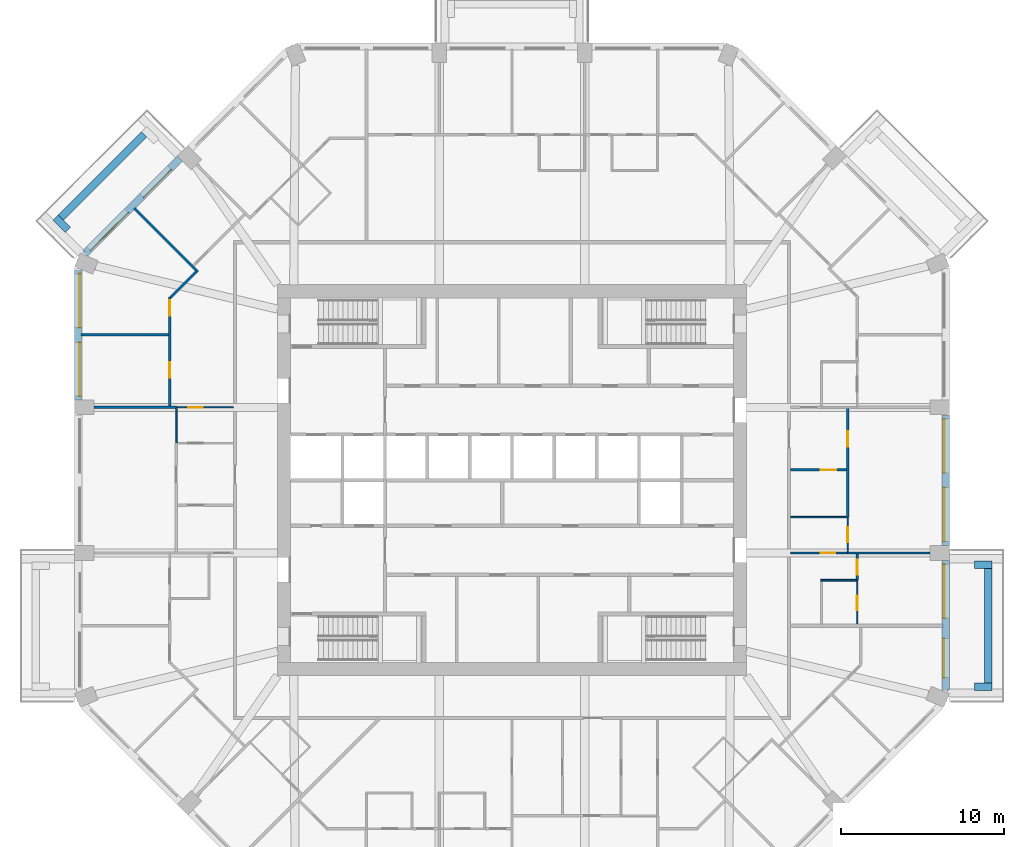
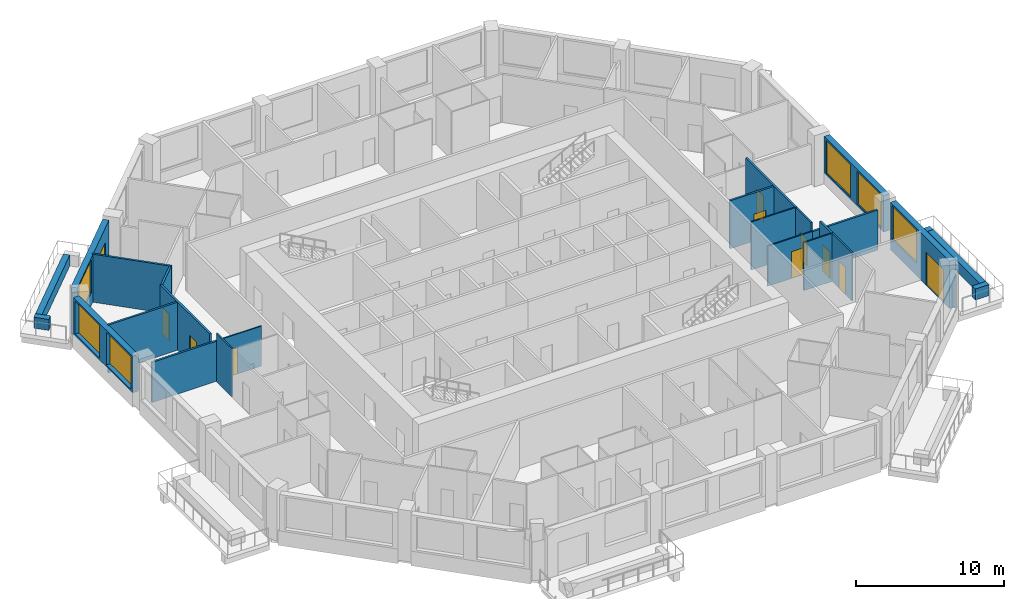
# One storey, part 7 of 12: 25 walls, 11 doors, 6 windows, 17 openings.
"""IFC4 building model written with IfcOpenShell, lengths in metres."""

from ifc_helpers import new_model, si_unit, direction, frame, frame_2d, origin, place, context, subcontext, project, spatial, rectangle, extrude, material, layer, layer_set, type_object, element, fill, save


model = new_model("IFC4")

# Units and contexts
model_context = context("Model", 3, precision=1e-05, world=origin(), true_north=direction((0.0, 1.0)))
body_context = subcontext(model_context, "Body", "Model", "MODEL_VIEW")
ifc_project = project(units=[si_unit("LENGTHUNIT", "METRE"), si_unit("AREAUNIT", "SQUARE_METRE"), si_unit("VOLUMEUNIT", "CUBIC_METRE"), si_unit("PLANEANGLEUNIT", "RADIAN"), si_unit("MASSUNIT", "GRAM", prefix="KILO")], contexts=[model_context])

# Site, building, storey
site_placement = place(None, origin())
site = spatial("IfcSite", under=ifc_project, at=site_placement, CompositionType="ELEMENT")
building_placement = place(site_placement, origin())
building = spatial("IfcBuilding", under=site, at=building_placement, Name="Msitu Wima Residences", CompositionType="ELEMENT")
storey_placement = place(building_placement, frame((0.0, 0.0, 119.10009765625)))
storey = spatial("IfcBuildingStorey", under=building, at=storey_placement, Name="L27", CompositionType="ELEMENT", Elevation=119.10009765625)

# Walls
ifc_material_1 = material(Name="Facing brick")
ifc_layer_1 = layer(ifc_material_1, 0.06494140625, Name="Facing brick")
ifc_material_2 = material(Name="Concrete C40/50", Category="concrete")
ifc_layer_2 = layer(ifc_material_2, 0.156005859375, Name="Concrete C40/50")
ifc_material_3 = material(Name="Waterproofing membrane")
ifc_layer_3 = layer(ifc_material_3, 0.00390625, Name="Waterproofing membrane")
ifc_material_4 = material(Name="Planting soil and planting")
ifc_layer_4 = layer(ifc_material_4, 0.22509765625, Name="Planting soil and planting")
ifc_layer_set_1 = layer_set([ifc_layer_1, ifc_layer_2, ifc_layer_3, ifc_layer_4], Name="Concrete C40/50")
wall_type_1 = type_object("IfcWallType", Name="Balcony planter PLANTER PL450", PredefinedType="USERDEFINED", material=ifc_layer_set_1)
wall_1_placement = place(storey_placement, frame((29.22509765625, -12.455810546875, 0.0), z_axis=(0.0, 0.0, 1.0), x_axis=(0.0, 1.0, 0.0)))
element("IfcWall", 1, at=wall_1_placement, inside=storey, type_object=wall_type_1, Name="Balcony planter E0 L27", ObjectType="PLANTER", PredefinedType="USERDEFINED", context=body_context, shape_type="SweptSolid", body=[
    extrude(rectangle(XDim=7.037109375, YDim=0.449951171875, at=frame_2d((3.5185546875, 0.0))), origin(), (0.0, 0.0, 1.0), 0.89990234375),
])
for number, where, z_axis, x_axis, name in (
    (2, (28.39990234375, -12.680908203125, 0.0), (0.0, 0.0, 1.0), (1.0, 0.0, 0.0), "Balcony planter E0 L27"),
    (3, (28.39990234375, -5.193603515625, 0.0), (0.0, 0.0, 1.0), (1.0, 0.0, 0.0), "Balcony planter E0 L27"),
):
    element("IfcWall", number, at=place(storey_placement, frame(where, z_axis=z_axis, x_axis=x_axis)), inside=storey, type_object=wall_type_1, Name=name, ObjectType="PLANTER", PredefinedType="USERDEFINED", context=body_context, shape_type="SweptSolid", body=[
        extrude(rectangle(XDim=1.050048828125, YDim=0.449951171875, at=frame_2d((0.52490234375, 0.0))), origin(), (0.0, 0.0, 1.0), 0.89990234375),
    ])
wall_2_placement = place(storey_placement, frame((-22.572265625, 21.228759765625, 0.0), z_axis=(0.0, 0.0, 1.0), x_axis=(-0.707106781187, -0.707106781187, 0.0)))
element("IfcWall", 4, at=wall_2_placement, inside=storey, type_object=wall_type_1, Name="Balcony planter NW1 L27", ObjectType="PLANTER", PredefinedType="USERDEFINED", context=body_context, shape_type="SweptSolid", body=[
    extrude(rectangle(XDim=7.23828125, YDim=0.449951171875, at=frame_2d((3.619140625, 0.0))), origin(), (0.0, 0.0, 1.0), 0.89990234375),
])
wall_3_placement = place(storey_placement, frame((-27.26611328125, 15.3681640625, 0.0), z_axis=(0.0, 0.0, 1.0), x_axis=(-0.707223014731, 0.706990528533, 0.0)))
element("IfcWall", 5, at=wall_3_placement, inside=storey, type_object=wall_type_1, Name="Balcony planter NW1 L27", ObjectType="PLANTER", PredefinedType="USERDEFINED", context=body_context, shape_type="SweptSolid", body=[
    extrude(rectangle(XDim=1.050048828125, YDim=0.449951171875, at=frame_2d((0.52490234375, 0.0))), origin(), (0.0, 0.0, 1.0), 0.89990234375),
])

# Wall, openings, door, window
ifc_material_5 = material(Name="Brick (red buff mix)", Category="masonry")
ifc_layer_5 = layer(ifc_material_5, 0.449951171875)
ifc_layer_set_2 = layer_set([ifc_layer_5], Name="Brick (red buff mix)")
wall_type_2 = type_object("IfcWallType", Name="Brick infill wall BW450", PredefinedType="SOLIDWALL", material=ifc_layer_set_2)
wall_4_placement = place(storey_placement, frame((26.625, -12.918701171875, 0.0), z_axis=(0.0, 0.0, 1.0), x_axis=(0.0, 1.0, 0.0)))
wall_4 = element("IfcWall", 6, at=wall_4_placement, inside=storey, type_object=wall_type_2, Name="Brick infill wall L27 E0", PredefinedType="SOLIDWALL", context=body_context, shape_type="SweptSolid", body=[
    extrude(rectangle(XDim=8.0, YDim=0.449951171875, at=frame_2d((4.0, 0.0))), origin(), (0.0, 0.0, 1.0), 3.89990234375),
])
opening_1_placement = place(wall_4_placement, frame((0.800048828125, 0.0, 0.0)))
opening_1 = element("IfcOpeningElement", 7, at=opening_1_placement, cuts=wall_4, Name="Opening D27-29.001", PredefinedType="OPENING", context=body_context, shape_type="SweptSolid", body=[
    extrude(rectangle(XDim=2.39990234375, YDim=2.699951171875, at=frame_2d((1.199951171875, 1.35009765625))), frame((0.0, 0.23486328125, 0.0), z_axis=(0.0, -1.0, 0.0), x_axis=(1.0, 0.0, 0.0)), (0.0, 0.0, 1.0), 0.469970703125),
])
opening_2_placement = place(wall_4_placement, frame((4.4501953125, 0.0, 1.050048828125)))
opening_2 = element("IfcOpeningElement", 8, at=opening_2_placement, cuts=wall_4, Name="Opening W27-29.001", PredefinedType="OPENING", context=body_context, shape_type="SweptSolid", body=[
    extrude(rectangle(XDim=3.300048828125, YDim=2.699951171875, at=frame_2d((1.64990234375, 1.35009765625))), frame((0.0, 0.23486328125, 0.0), z_axis=(0.0, -1.0, 0.0), x_axis=(1.0, 0.0, 0.0)), (0.0, 0.0, 1.0), 0.469970703125),
])
ifc_material_6 = material(Name="Anodised aluminium, bronze finish, clear low-emissivity double glazing", Category="aluminium")
door_type_1 = type_object("IfcDoorType", Name="Balcony door D2400x2700", OperationType="SLIDING_TO_LEFT", PredefinedType="DOOR", material=ifc_material_6)
door_1_placement = place(opening_1_placement, origin())
door_1 = element("IfcDoor", 9, at=door_1_placement, inside=storey, type_object=door_type_1, Name="Balcony door L27 E0", OperationType="SINGLE_SWING_LEFT", OverallHeight=2.699951171875, OverallWidth=2.39990234375, PredefinedType="DOOR", context=body_context, shape_type="SweptSolid", body=[
    extrude(rectangle(XDim=2.39990234375, YDim=2.699951171875, at=frame_2d((1.199951171875, 1.35009765625))), frame((0.0, 0.1298828125, 0.0), z_axis=(0.0, -1.0, 0.0), x_axis=(1.0, 0.0, 0.0)), (0.0, 0.0, 1.0), 0.050048828125),
])
fill(opening_1, door_1)
window_type = type_object("IfcWindowType", Name="Window W3300x2700", PartitioningType="DOUBLE_PANEL_VERTICAL", PredefinedType="WINDOW", material=ifc_material_6)
window_1_placement = place(opening_2_placement, origin())
window_1 = element("IfcWindow", 10, at=window_1_placement, inside=storey, type_object=window_type, Name="Window L27 E0.2", OverallHeight=2.699951171875, OverallWidth=3.300048828125, PartitioningType="SINGLE_PANEL", PredefinedType="WINDOW", context=body_context, shape_type="SweptSolid", body=[
    extrude(rectangle(XDim=3.300048828125, YDim=2.699951171875, at=frame_2d((1.64990234375, 1.35009765625))), frame((0.0, 0.135009765625, 0.0), z_axis=(0.0, -1.0, 0.0), x_axis=(1.0, 0.0, 0.0)), (0.0, 0.0, 1.0), 0.06005859375),
])
fill(opening_2, window_1)

# Wall, openings, windows
wall_5_placement = place(storey_placement, frame((26.625, -4.0185546875, 0.89990234375), z_axis=(0.0, 0.0, 1.0), x_axis=(0.0, 1.0, 0.0)))
wall_5 = element("IfcWall", 11, at=wall_5_placement, inside=storey, type_object=wall_type_2, Name="Brick infill wall L27 E1", PredefinedType="SOLIDWALL", context=body_context, shape_type="SweptSolid", body=[
    extrude(rectangle(XDim=8.037109375, YDim=0.449951171875, at=frame_2d((4.0185546875, 0.0))), origin(), (0.0, 0.0, 1.0), 3.0),
])
opening_3_placement = place(wall_5_placement, frame((0.2685546875, 0.0, 0.14990234375)))
opening_3 = element("IfcOpeningElement", 12, at=opening_3_placement, cuts=wall_5, Name="Opening W27-29.002", PredefinedType="OPENING", context=body_context, shape_type="SweptSolid", body=[
    extrude(rectangle(XDim=3.300048828125, YDim=2.699951171875, at=frame_2d((1.64990234375, 1.35009765625))), frame((0.0, 0.23486328125, 0.0), z_axis=(0.0, -1.0, 0.0), x_axis=(1.0, 0.0, 0.0)), (0.0, 0.0, 1.0), 0.469970703125),
])
opening_4_placement = place(wall_5_placement, frame((4.46875, 0.0, 0.14990234375)))
opening_4 = element("IfcOpeningElement", 13, at=opening_4_placement, cuts=wall_5, Name="Opening W27-29.003", PredefinedType="OPENING", context=body_context, shape_type="SweptSolid", body=[
    extrude(rectangle(XDim=3.300048828125, YDim=2.699951171875, at=frame_2d((1.64990234375, 1.35009765625))), frame((0.0, 0.23486328125, 0.0), z_axis=(0.0, -1.0, 0.0), x_axis=(1.0, 0.0, 0.0)), (0.0, 0.0, 1.0), 0.469970703125),
])
window_2_placement = place(opening_3_placement, origin())
window_2 = element("IfcWindow", 14, at=window_2_placement, inside=storey, type_object=window_type, Name="Window L27 E1.1", OverallHeight=2.699951171875, OverallWidth=3.300048828125, PartitioningType="SINGLE_PANEL", PredefinedType="WINDOW", context=body_context, shape_type="SweptSolid", body=[
    extrude(rectangle(XDim=3.300048828125, YDim=2.699951171875, at=frame_2d((1.64990234375, 1.35009765625))), frame((0.0, 0.135009765625, 0.0), z_axis=(0.0, -1.0, 0.0), x_axis=(1.0, 0.0, 0.0)), (0.0, 0.0, 1.0), 0.06005859375),
])
fill(opening_3, window_2)
window_3_placement = place(opening_4_placement, origin())
window_3 = element("IfcWindow", 15, at=window_3_placement, inside=storey, type_object=window_type, Name="Window L27 E1.2", OverallHeight=2.699951171875, OverallWidth=3.300048828125, PartitioningType="SINGLE_PANEL", PredefinedType="WINDOW", context=body_context, shape_type="SweptSolid", body=[
    extrude(rectangle(XDim=3.300048828125, YDim=2.699951171875, at=frame_2d((1.64990234375, 1.35009765625))), frame((0.0, 0.135009765625, 0.0), z_axis=(0.0, -1.0, 0.0), x_axis=(1.0, 0.0, 0.0)), (0.0, 0.0, 1.0), 0.06005859375),
])
fill(opening_4, window_3)

# Wall, openings, door, window
wall_6_placement = place(storey_placement, frame((-20.380126953125, 19.743896484375, 0.0), z_axis=(0.0, 0.0, 1.0), x_axis=(-0.707106781187, -0.707106781187, 0.0)))
wall_6 = element("IfcWall", 16, at=wall_6_placement, inside=storey, type_object=wall_type_2, Name="Brick infill wall L27 NW1", PredefinedType="SOLIDWALL", context=body_context, shape_type="SweptSolid", body=[
    extrude(rectangle(XDim=8.251220703125, YDim=0.449951171875, at=frame_2d((4.12548828125, 0.0))), origin(), (0.0, 0.0, 1.0), 3.89990234375),
])
opening_5_placement = place(wall_6_placement, frame((0.86279296875, 0.0, 0.0)))
opening_5 = element("IfcOpeningElement", 17, at=opening_5_placement, cuts=wall_6, Name="Opening D27-29.004", PredefinedType="OPENING", context=body_context, shape_type="SweptSolid", body=[
    extrude(rectangle(XDim=2.39990234375, YDim=2.699951171875, at=frame_2d((1.199951171875, 1.35009765625))), frame((0.0, 0.23486328125, 0.0), z_axis=(0.0, -1.0, 0.0), x_axis=(1.0, 0.0, 0.0)), (0.0, 0.0, 1.0), 0.469970703125),
])
opening_6_placement = place(wall_6_placement, frame((4.57568359375, 0.0, 1.050048828125)))
opening_6 = element("IfcOpeningElement", 18, at=opening_6_placement, cuts=wall_6, Name="Opening W27-29.016", PredefinedType="OPENING", context=body_context, shape_type="SweptSolid", body=[
    extrude(rectangle(XDim=3.300048828125, YDim=2.699951171875, at=frame_2d((1.64990234375, 1.35009765625))), frame((0.0, 0.23486328125, 0.0), z_axis=(0.0, -1.0, 0.0), x_axis=(1.0, 0.0, 0.0)), (0.0, 0.0, 1.0), 0.469970703125),
])
door_2_placement = place(opening_5_placement, origin())
door_2 = element("IfcDoor", 19, at=door_2_placement, inside=storey, type_object=door_type_1, Name="Balcony door L27 NW1", OperationType="SINGLE_SWING_LEFT", OverallHeight=2.699951171875, OverallWidth=2.39990234375, PredefinedType="DOOR", context=body_context, shape_type="SweptSolid", body=[
    extrude(rectangle(XDim=2.39990234375, YDim=2.699951171875, at=frame_2d((1.199951171875, 1.35009765625))), frame((0.0, 0.1298828125, 0.0), z_axis=(0.0, -1.0, 0.0), x_axis=(1.0, 0.0, 0.0)), (0.0, 0.0, 1.0), 0.050048828125),
])
fill(opening_5, door_2)
window_4_placement = place(opening_6_placement, origin())
window_4 = element("IfcWindow", 20, at=window_4_placement, inside=storey, type_object=window_type, Name="Window L27 NW1.2", OverallHeight=2.699951171875, OverallWidth=3.300048828125, PartitioningType="SINGLE_PANEL", PredefinedType="WINDOW", context=body_context, shape_type="SweptSolid", body=[
    extrude(rectangle(XDim=3.300048828125, YDim=2.699951171875, at=frame_2d((1.64990234375, 1.35009765625))), frame((0.0, 0.135009765625, 0.0), z_axis=(0.0, -1.0, 0.0), x_axis=(1.0, 0.0, 0.0)), (0.0, 0.0, 1.0), 0.06005859375),
])
fill(opening_6, window_4)

# Wall, openings, windows
wall_7_placement = place(storey_placement, frame((-26.625, 12.918701171875, 0.89990234375), z_axis=(0.0, 0.0, 1.0), x_axis=(0.0, -1.0, 0.0)))
wall_7 = element("IfcWall", 21, at=wall_7_placement, inside=storey, type_object=wall_type_2, Name="Brick infill wall L27 W0", PredefinedType="SOLIDWALL", context=body_context, shape_type="SweptSolid", body=[
    extrude(rectangle(XDim=8.0, YDim=0.449951171875, at=frame_2d((4.0, 0.0))), origin(), (0.0, 0.0, 1.0), 3.0),
])
opening_7_placement = place(wall_7_placement, frame((0.25, 0.0, 0.14990234375)))
opening_7 = element("IfcOpeningElement", 22, at=opening_7_placement, cuts=wall_7, Name="Opening W27-29.029", PredefinedType="OPENING", context=body_context, shape_type="SweptSolid", body=[
    extrude(rectangle(XDim=3.300048828125, YDim=2.699951171875, at=frame_2d((1.64990234375, 1.35009765625))), frame((0.0, 0.23486328125, 0.0), z_axis=(0.0, -1.0, 0.0), x_axis=(1.0, 0.0, 0.0)), (0.0, 0.0, 1.0), 0.469970703125),
])
opening_8_placement = place(wall_7_placement, frame((4.4501953125, 0.0, 0.14990234375)))
opening_8 = element("IfcOpeningElement", 23, at=opening_8_placement, cuts=wall_7, Name="Opening W27-29.030", PredefinedType="OPENING", context=body_context, shape_type="SweptSolid", body=[
    extrude(rectangle(XDim=3.300048828125, YDim=2.699951171875, at=frame_2d((1.64990234375, 1.35009765625))), frame((0.0, 0.23486328125, 0.0), z_axis=(0.0, -1.0, 0.0), x_axis=(1.0, 0.0, 0.0)), (0.0, 0.0, 1.0), 0.469970703125),
])
window_5_placement = place(opening_7_placement, origin())
window_5 = element("IfcWindow", 24, at=window_5_placement, inside=storey, type_object=window_type, Name="Window L27 W0.1", OverallHeight=2.699951171875, OverallWidth=3.300048828125, PartitioningType="SINGLE_PANEL", PredefinedType="WINDOW", context=body_context, shape_type="SweptSolid", body=[
    extrude(rectangle(XDim=3.300048828125, YDim=2.699951171875, at=frame_2d((1.64990234375, 1.35009765625))), frame((0.0, 0.135009765625, 0.0), z_axis=(0.0, -1.0, 0.0), x_axis=(1.0, 0.0, 0.0)), (0.0, 0.0, 1.0), 0.06005859375),
])
fill(opening_7, window_5)
window_6_placement = place(opening_8_placement, origin())
window_6 = element("IfcWindow", 25, at=window_6_placement, inside=storey, type_object=window_type, Name="Window L27 W0.2", OverallHeight=2.699951171875, OverallWidth=3.300048828125, PartitioningType="SINGLE_PANEL", PredefinedType="WINDOW", context=body_context, shape_type="SweptSolid", body=[
    extrude(rectangle(XDim=3.300048828125, YDim=2.699951171875, at=frame_2d((1.64990234375, 1.35009765625))), frame((0.0, 0.135009765625, 0.0), z_axis=(0.0, -1.0, 0.0), x_axis=(1.0, 0.0, 0.0)), (0.0, 0.0, 1.0), 0.06005859375),
])
fill(opening_8, window_6)

# Walls
ifc_material_7 = material(Name="Plaster")
ifc_layer_6 = layer(ifc_material_7, 0.011962890625, Name="Plaster")
ifc_material_8 = material(Name="Concrete blockwork", Category="masonry")
ifc_layer_7 = layer(ifc_material_8, 0.1259765625, Name="Concrete blockwork")
ifc_layer_8 = layer(ifc_material_7, 0.011962890625, Name="Plaster")
ifc_layer_set_3 = layer_set([ifc_layer_6, ifc_layer_7, ifc_layer_8], Name="Concrete blockwork")
wall_type_3 = type_object("IfcWallType", Name="Partition PW150", PredefinedType="PARTITIONING", material=ifc_layer_set_3)
wall_8_placement = place(storey_placement, frame((-25.64990234375, 4.46875, 0.0), z_axis=(0.0, 0.0, 1.0), x_axis=(1.0, 0.0, 0.0)))
element("IfcWall", 26, at=wall_8_placement, inside=storey, type_object=wall_type_3, Name="Partition", PredefinedType="PARTITIONING", context=body_context, shape_type="SweptSolid", body=[
    extrude(rectangle(XDim=5.06982421875, YDim=0.14990234375, at=frame_2d((2.534912109375, 0.0))), origin(), (0.0, 0.0, 1.0), 3.2998046875),
])
wall_9_placement = place(storey_placement, frame((-26.455078125, 8.937255859375, 0.0), z_axis=(0.0, 0.0, 1.0), x_axis=(1.0, 0.0, 0.0)))
element("IfcWall", 27, at=wall_9_placement, inside=storey, type_object=wall_type_3, Name="Partition", PredefinedType="PARTITIONING", context=body_context, shape_type="SweptSolid", body=[
    extrude(rectangle(XDim=5.380126953125, YDim=0.14990234375, at=frame_2d((2.68994140625, 0.0))), origin(), (0.0, 0.0, 1.0), 3.949951171875),
])
wall_10_placement = place(storey_placement, frame((-23.1904296875, 16.693359375, 0.0), z_axis=(0.0, 0.0, 1.0), x_axis=(0.707106781187, -0.707106781187, 0.0)))
element("IfcWall", 28, at=wall_10_placement, inside=storey, type_object=wall_type_3, Name="Partition", PredefinedType="PARTITIONING", context=body_context, shape_type="SweptSolid", body=[
    extrude(rectangle(XDim=5.530029296875, YDim=0.14990234375, at=frame_2d((2.76513671875, 0.0))), origin(), (0.0, 0.0, 1.0), 3.949951171875),
])

# Wall, openings, doors
wall_11_placement = place(storey_placement, frame((-21.0, 4.543701171875, 0.0), z_axis=(0.0, 0.0, 1.0), x_axis=(0.0, 1.0, 0.0)))
wall_11 = element("IfcWall", 29, at=wall_11_placement, inside=storey, type_object=wall_type_3, Name="Partition", PredefinedType="PARTITIONING", context=body_context, shape_type="SweptSolid", body=[
    extrude(rectangle(XDim=6.700439453125, YDim=0.14990234375, at=frame_2d((3.35009765625, 0.0))), origin(), (0.0, 0.0, 1.0), 3.949951171875),
])
opening_9_placement = place(wall_11_placement, frame((1.75, 0.0, 0.0)))
opening_9 = element("IfcOpeningElement", 30, at=opening_9_placement, cuts=wall_11, Name="Opening D27-29.054", PredefinedType="OPENING", context=body_context, shape_type="SweptSolid", body=[
    extrude(rectangle(XDim=0.949951171875, YDim=2.199951171875, at=frame_2d((0.47509765625, 1.10009765625))), frame((0.0, 0.0849609375, 0.0), z_axis=(0.0, -1.0, 0.0), x_axis=(1.0, 0.0, 0.0)), (0.0, 0.0, 1.0), 0.169921875),
])
opening_10_placement = place(wall_11_placement, frame((5.550048828125, 0.0, 0.0)))
opening_10 = element("IfcOpeningElement", 31, at=opening_10_placement, cuts=wall_11, Name="Opening D27-29.063", PredefinedType="OPENING", context=body_context, shape_type="SweptSolid", body=[
    extrude(rectangle(XDim=0.949951171875, YDim=2.199951171875, at=frame_2d((0.47509765625, 1.10009765625))), frame((0.0, 0.0849609375, 0.0), z_axis=(0.0, -1.0, 0.0), x_axis=(1.0, 0.0, 0.0)), (0.0, 0.0, 1.0), 0.169921875),
])
ifc_material_9 = material(Name="Timber flush door", Category="wood")
door_type_2 = type_object("IfcDoorType", Name="Room door D12 950x2200", OperationType="SINGLE_SWING_LEFT", PredefinedType="DOOR", material=ifc_material_9)
door_3_placement = place(opening_9_placement, origin())
door_3 = element("IfcDoor", 32, at=door_3_placement, inside=storey, type_object=door_type_2, Name="Room door", OperationType="SINGLE_SWING_RIGHT", OverallHeight=2.199951171875, OverallWidth=0.949951171875, PredefinedType="DOOR", context=body_context, shape_type="SweptSolid", body=[
    extrude(rectangle(XDim=0.949951171875, YDim=2.199951171875, at=frame_2d((0.47509765625, 1.10009765625))), frame((0.0, 0.02490234375, 0.0), z_axis=(0.0, -1.0, 0.0), x_axis=(1.0, 0.0, 0.0)), (0.0, 0.0, 1.0), 0.050048828125),
])
fill(opening_9, door_3)
door_4_placement = place(opening_10_placement, origin())
door_4 = element("IfcDoor", 33, at=door_4_placement, inside=storey, type_object=door_type_2, Name="Room door", OperationType="SINGLE_SWING_LEFT", OverallHeight=2.199951171875, OverallWidth=0.949951171875, PredefinedType="DOOR", context=body_context, shape_type="SweptSolid", body=[
    extrude(rectangle(XDim=0.949951171875, YDim=2.199951171875, at=frame_2d((0.47509765625, 1.10009765625))), frame((0.0, 0.02490234375, 0.0), z_axis=(0.0, -1.0, 0.0), x_axis=(1.0, 0.0, 0.0)), (0.0, 0.0, 1.0), 0.050048828125),
])
fill(opening_10, door_4)

# Wall
wall_12_placement = place(storey_placement, frame((-20.947021484375, 11.22216796875, 0.0), z_axis=(0.0, 0.0, 1.0), x_axis=(0.707106781187, 0.707106781187, 0.0)))
element("IfcWall", 34, at=wall_12_placement, inside=storey, type_object=wall_type_3, Name="Partition", PredefinedType="PARTITIONING", context=body_context, shape_type="SweptSolid", body=[
    extrude(rectangle(XDim=2.207275390625, YDim=0.14990234375, at=frame_2d((1.103515625, 0.0))), origin(), (0.0, 0.0, 1.0), 3.949951171875),
])

# Wall, opening, door
wall_13_placement = place(storey_placement, frame((17.10009765625, 0.63134765625, 0.0), z_axis=(0.0, 0.0, 1.0), x_axis=(1.0, 0.0, 0.0)))
wall_13 = element("IfcWall", 35, at=wall_13_placement, inside=storey, type_object=wall_type_3, Name="Partition", PredefinedType="PARTITIONING", context=body_context, shape_type="SweptSolid", body=[
    extrude(rectangle(XDim=3.4248046875, YDim=0.14990234375, at=frame_2d((1.71240234375, 0.0))), origin(), (0.0, 0.0, 1.0), 3.949951171875),
])
opening_11_placement = place(wall_13_placement, frame((1.85009765625, 0.0, 0.0)))
opening_11 = element("IfcOpeningElement", 36, at=opening_11_placement, cuts=wall_13, Name="Opening D27-29.040", PredefinedType="OPENING", context=body_context, shape_type="SweptSolid", body=[
    extrude(rectangle(XDim=0.949951171875, YDim=2.199951171875, at=frame_2d((0.47509765625, 1.10009765625))), frame((0.0, 0.0849609375, 0.0), z_axis=(0.0, -1.0, 0.0), x_axis=(1.0, 0.0, 0.0)), (0.0, 0.0, 1.0), 0.169921875),
])
door_5_placement = place(opening_11_placement, origin())
door_5 = element("IfcDoor", 37, at=door_5_placement, inside=storey, type_object=door_type_2, Name="Room door", OperationType="SINGLE_SWING_LEFT", OverallHeight=2.199951171875, OverallWidth=0.949951171875, PredefinedType="DOOR", context=body_context, shape_type="SweptSolid", body=[
    extrude(rectangle(XDim=0.949951171875, YDim=2.199951171875, at=frame_2d((0.47509765625, 1.10009765625))), frame((0.0, 0.02490234375, 0.0), z_axis=(0.0, -1.0, 0.0), x_axis=(1.0, 0.0, 0.0)), (0.0, 0.0, 1.0), 0.050048828125),
])
fill(opening_11, door_5)

# Wall
wall_14_placement = place(storey_placement, frame((20.580078125, -4.46875, 0.0), z_axis=(0.0, 0.0, 1.0), x_axis=(1.0, 0.0, 0.0)))
element("IfcWall", 38, at=wall_14_placement, inside=storey, type_object=wall_type_3, Name="Partition", PredefinedType="PARTITIONING", context=body_context, shape_type="SweptSolid", body=[
    extrude(rectangle(XDim=5.06982421875, YDim=0.14990234375, at=frame_2d((2.534912109375, 0.0))), origin(), (0.0, 0.0, 1.0), 3.2998046875),
])

# Wall, opening, door
wall_15_placement = place(storey_placement, frame((20.60009765625, -2.28857421875, 0.0), z_axis=(0.0, 0.0, 1.0), x_axis=(0.0, 1.0, 0.0)))
wall_15 = element("IfcWall", 39, at=wall_15_placement, inside=storey, type_object=wall_type_3, Name="Partition", PredefinedType="PARTITIONING", context=body_context, shape_type="SweptSolid", body=[
    extrude(rectangle(XDim=6.707275390625, YDim=0.14990234375, at=frame_2d((3.353515625, 0.0))), origin(), (0.0, 0.0, 1.0), 3.949951171875),
])
opening_12_placement = place(wall_15_placement, frame((4.35009765625, 0.0, 0.0)))
opening_12 = element("IfcOpeningElement", 40, at=opening_12_placement, cuts=wall_15, Name="Opening D27-29.037", PredefinedType="OPENING", context=body_context, shape_type="SweptSolid", body=[
    extrude(rectangle(XDim=0.949951171875, YDim=2.199951171875, at=frame_2d((0.47509765625, 1.10009765625))), frame((0.0, 0.0849609375, 0.0), z_axis=(0.0, -1.0, 0.0), x_axis=(1.0, 0.0, 0.0)), (0.0, 0.0, 1.0), 0.169921875),
])
door_6_placement = place(opening_12_placement, origin())
door_6 = element("IfcDoor", 41, at=door_6_placement, inside=storey, type_object=door_type_2, Name="Room door", OperationType="SINGLE_SWING_LEFT", OverallHeight=2.199951171875, OverallWidth=0.949951171875, PredefinedType="DOOR", context=body_context, shape_type="SweptSolid", body=[
    extrude(rectangle(XDim=0.949951171875, YDim=2.199951171875, at=frame_2d((0.47509765625, 1.10009765625))), frame((0.0, 0.02490234375, 0.0), z_axis=(0.0, -1.0, 0.0), x_axis=(1.0, 0.0, 0.0)), (0.0, 0.0, 1.0), 0.050048828125),
])
fill(opening_12, door_6)

wall_16_placement = place(storey_placement, frame((21.199951171875, -6.1171875, 0.0), z_axis=(0.0, 0.0, 1.0), x_axis=(0.0, 1.0, 0.0)))
wall_16 = element("IfcWall", 42, at=wall_16_placement, inside=storey, type_object=wall_type_3, Name="Partition", PredefinedType="PARTITIONING", context=body_context, shape_type="SweptSolid", body=[
    extrude(rectangle(XDim=1.573486328125, YDim=0.14990234375, at=frame_2d((0.78662109375, 0.0))), origin(), (0.0, 0.0, 1.0), 3.949951171875),
])
opening_13_placement = place(wall_16_placement, frame((0.300048828125, 0.0, 0.0)))
opening_13 = element("IfcOpeningElement", 43, at=opening_13_placement, cuts=wall_16, Name="Opening D27-29.046", PredefinedType="OPENING", context=body_context, shape_type="SweptSolid", body=[
    extrude(rectangle(XDim=0.949951171875, YDim=2.199951171875, at=frame_2d((0.47509765625, 1.10009765625))), frame((0.0, 0.0849609375, 0.0), z_axis=(0.0, -1.0, 0.0), x_axis=(1.0, 0.0, 0.0)), (0.0, 0.0, 1.0), 0.169921875),
])
door_7_placement = place(opening_13_placement, origin())
door_7 = element("IfcDoor", 44, at=door_7_placement, inside=storey, type_object=door_type_2, Name="Room door", OperationType="SINGLE_SWING_LEFT", OverallHeight=2.199951171875, OverallWidth=0.949951171875, PredefinedType="DOOR", context=body_context, shape_type="SweptSolid", body=[
    extrude(rectangle(XDim=0.949951171875, YDim=2.199951171875, at=frame_2d((0.47509765625, 1.10009765625))), frame((0.0, 0.02490234375, 0.0), z_axis=(0.0, -1.0, 0.0), x_axis=(1.0, 0.0, 0.0)), (0.0, 0.0, 1.0), 0.050048828125),
])
fill(opening_13, door_7)

ifc_material_10 = material(Name="Ceramic tiles")
ifc_layer_9 = layer(ifc_material_10, 0.008056640625, Name="Ceramic tiles")
ifc_material_11 = material(Name="Moisture-resistant board")
ifc_layer_10 = layer(ifc_material_11, 0.012451171875, Name="Moisture-resistant board")
ifc_material_12 = material(Name="Light-gauge stud framing with mineral wool")
ifc_layer_11 = layer(ifc_material_12, 0.06689453125, Name="Light-gauge stud framing with mineral wool")
ifc_layer_12 = layer(ifc_material_11, 0.012451171875, Name="Moisture-resistant board")
ifc_layer_set_4 = layer_set([ifc_layer_9, ifc_layer_10, ifc_layer_11, ifc_layer_12], Name="Light-gauge stud framing with mineral wool")
wall_type_4 = type_object("IfcWallType", Name="Wet wall PW100", PredefinedType="PARTITIONING", material=ifc_layer_set_4)
wall_17_placement = place(storey_placement, frame((-20.580078125, 4.46875, 0.0), z_axis=(0.0, 0.0, 1.0), x_axis=(1.0, 0.0, 0.0)))
wall_17 = element("IfcWall", 45, at=wall_17_placement, inside=storey, type_object=wall_type_4, Name="Wet wall", PredefinedType="PARTITIONING", context=body_context, shape_type="SweptSolid", body=[
    extrude(rectangle(XDim=3.47998046875, YDim=0.10009765625, at=frame_2d((1.739990234375, 0.0))), origin(), (0.0, 0.0, 1.0), 3.2998046875),
])
opening_14_placement = place(wall_17_placement, frame((0.699951171875, 0.0, 0.0)))
opening_14 = element("IfcOpeningElement", 46, at=opening_14_placement, cuts=wall_17, Name="Opening D27-29.052", PredefinedType="OPENING", context=body_context, shape_type="SweptSolid", body=[
    extrude(rectangle(XDim=0.89990234375, YDim=2.199951171875, at=frame_2d((0.449951171875, 1.10009765625))), frame((0.0, 0.06005859375, 0.0), z_axis=(0.0, -1.0, 0.0), x_axis=(1.0, 0.0, 0.0)), (0.0, 0.0, 1.0), 0.1201171875),
])
ifc_material_13 = material(Name="Timber flush door, moisture resistant", Category="wood")
door_type_3 = type_object("IfcDoorType", Name="Bathroom door D03 900x2200", OperationType="SINGLE_SWING_LEFT", PredefinedType="DOOR", material=ifc_material_13)
door_8_placement = place(opening_14_placement, origin())
door_8 = element("IfcDoor", 47, at=door_8_placement, inside=storey, type_object=door_type_3, Name="Bathroom door", OperationType="SINGLE_SWING_RIGHT", OverallHeight=2.199951171875, OverallWidth=0.89990234375, PredefinedType="DOOR", context=body_context, shape_type="SweptSolid", body=[
    extrude(rectangle(XDim=0.89990234375, YDim=2.199951171875, at=frame_2d((0.449951171875, 1.10009765625))), frame((0.0, 0.02490234375, 0.0), z_axis=(0.0, -1.0, 0.0), x_axis=(1.0, 0.0, 0.0)), (0.0, 0.0, 1.0), 0.050048828125),
])
fill(opening_14, door_8)

# Wall
wall_18_placement = place(storey_placement, frame((-20.60009765625, 2.28857421875, 0.0), z_axis=(0.0, 0.0, 1.0), x_axis=(0.0, 1.0, 0.0)))
element("IfcWall", 48, at=wall_18_placement, inside=storey, type_object=wall_type_4, Name="Wet wall", PredefinedType="PARTITIONING", context=body_context, shape_type="SweptSolid", body=[
    extrude(rectangle(XDim=2.10498046875, YDim=0.10009765625, at=frame_2d((1.052490234375, 0.0))), origin(), (0.0, 0.0, 1.0), 3.949951171875),
])

# Wall, opening, door
wall_19_placement = place(storey_placement, frame((17.10009765625, -4.46875, 0.0), z_axis=(0.0, 0.0, 1.0), x_axis=(1.0, 0.0, 0.0)))
wall_19 = element("IfcWall", 49, at=wall_19_placement, inside=storey, type_object=wall_type_4, Name="Wet wall", PredefinedType="PARTITIONING", context=body_context, shape_type="SweptSolid", body=[
    extrude(rectangle(XDim=3.47998046875, YDim=0.10009765625, at=frame_2d((1.739990234375, 0.0))), origin(), (0.0, 0.0, 1.0), 3.2998046875),
])
opening_15_placement = place(wall_19_placement, frame((1.85009765625, 0.0, 0.0)))
opening_15 = element("IfcOpeningElement", 50, at=opening_15_placement, cuts=wall_19, Name="Opening D27-29.045", PredefinedType="OPENING", context=body_context, shape_type="SweptSolid", body=[
    extrude(rectangle(XDim=0.89990234375, YDim=2.199951171875, at=frame_2d((0.449951171875, 1.10009765625))), frame((0.0, 0.06005859375, 0.0), z_axis=(0.0, -1.0, 0.0), x_axis=(1.0, 0.0, 0.0)), (0.0, 0.0, 1.0), 0.1201171875),
])
door_9_placement = place(opening_15_placement, origin())
door_9 = element("IfcDoor", 51, at=door_9_placement, inside=storey, type_object=door_type_3, Name="Bathroom door", OperationType="SINGLE_SWING_RIGHT", OverallHeight=2.199951171875, OverallWidth=0.89990234375, PredefinedType="DOOR", context=body_context, shape_type="SweptSolid", body=[
    extrude(rectangle(XDim=0.89990234375, YDim=2.199951171875, at=frame_2d((0.449951171875, 1.10009765625))), frame((0.0, 0.02490234375, 0.0), z_axis=(0.0, -1.0, 0.0), x_axis=(1.0, 0.0, 0.0)), (0.0, 0.0, 1.0), 0.050048828125),
])
fill(opening_15, door_9)

# Walls
wall_20_placement = place(storey_placement, frame((17.10009765625, -2.2685546875, 0.0), z_axis=(0.0, 0.0, 1.0), x_axis=(1.0, 0.0, 0.0)))
element("IfcWall", 52, at=wall_20_placement, inside=storey, type_object=wall_type_4, Name="Wet wall", PredefinedType="PARTITIONING", context=body_context, shape_type="SweptSolid", body=[
    extrude(rectangle(XDim=3.4248046875, YDim=0.10009765625, at=frame_2d((1.71240234375, 0.0))), origin(), (0.0, 0.0, 1.0), 3.949951171875),
])
wall_21_placement = place(storey_placement, frame((18.949951171875, -6.13720703125, 0.0), z_axis=(0.0, 0.0, 1.0), x_axis=(1.0, 0.0, 0.0)))
element("IfcWall", 53, at=wall_21_placement, inside=storey, type_object=wall_type_4, Name="Wet wall", PredefinedType="PARTITIONING", context=body_context, shape_type="SweptSolid", body=[
    extrude(rectangle(XDim=2.175048828125, YDim=0.10009765625, at=frame_2d((1.08740234375, 0.0))), origin(), (0.0, 0.0, 1.0), 3.949951171875),
])

# Wall, opening, door
wall_22_placement = place(storey_placement, frame((20.60009765625, -4.3935546875, 0.0), z_axis=(0.0, 0.0, 1.0), x_axis=(0.0, 1.0, 0.0)))
wall_22 = element("IfcWall", 54, at=wall_22_placement, inside=storey, type_object=wall_type_4, Name="Wet wall", PredefinedType="PARTITIONING", context=body_context, shape_type="SweptSolid", body=[
    extrude(rectangle(XDim=2.10498046875, YDim=0.10009765625, at=frame_2d((1.052490234375, 0.0))), origin(), (0.0, 0.0, 1.0), 3.949951171875),
])
opening_16_placement = place(wall_22_placement, frame((0.60009765625, 0.0, 0.0)))
opening_16 = element("IfcOpeningElement", 55, at=opening_16_placement, cuts=wall_22, Name="Opening D27-29.044", PredefinedType="OPENING", context=body_context, shape_type="SweptSolid", body=[
    extrude(rectangle(XDim=0.89990234375, YDim=2.199951171875, at=frame_2d((0.449951171875, 1.10009765625))), frame((0.0, 0.06005859375, 0.0), z_axis=(0.0, -1.0, 0.0), x_axis=(1.0, 0.0, 0.0)), (0.0, 0.0, 1.0), 0.1201171875),
])
door_10_placement = place(opening_16_placement, origin())
door_10 = element("IfcDoor", 56, at=door_10_placement, inside=storey, type_object=door_type_3, Name="Bathroom door", OperationType="SINGLE_SWING_RIGHT", OverallHeight=2.199951171875, OverallWidth=0.89990234375, PredefinedType="DOOR", context=body_context, shape_type="SweptSolid", body=[
    extrude(rectangle(XDim=0.89990234375, YDim=2.199951171875, at=frame_2d((0.449951171875, 1.10009765625))), frame((0.0, 0.02490234375, 0.0), z_axis=(0.0, -1.0, 0.0), x_axis=(1.0, 0.0, 0.0)), (0.0, 0.0, 1.0), 0.050048828125),
])
fill(opening_16, door_10)

wall_23_placement = place(storey_placement, frame((21.199951171875, -8.837158203125, 0.0), z_axis=(0.0, 0.0, 1.0), x_axis=(0.0, 1.0, 0.0)))
wall_23 = element("IfcWall", 57, at=wall_23_placement, inside=storey, type_object=wall_type_4, Name="Wet wall", PredefinedType="PARTITIONING", context=body_context, shape_type="SweptSolid", body=[
    extrude(rectangle(XDim=2.719970703125, YDim=0.10009765625, at=frame_2d((1.35986328125, 0.0))), origin(), (0.0, 0.0, 1.0), 3.949951171875),
])
opening_17_placement = place(wall_23_placement, frame((0.85009765625, 0.0, 0.0)))
opening_17 = element("IfcOpeningElement", 58, at=opening_17_placement, cuts=wall_23, Name="Opening D27-29.047", PredefinedType="OPENING", context=body_context, shape_type="SweptSolid", body=[
    extrude(rectangle(XDim=0.89990234375, YDim=2.199951171875, at=frame_2d((0.449951171875, 1.10009765625))), frame((0.0, 0.06005859375, 0.0), z_axis=(0.0, -1.0, 0.0), x_axis=(1.0, 0.0, 0.0)), (0.0, 0.0, 1.0), 0.1201171875),
])
door_11_placement = place(opening_17_placement, origin())
door_11 = element("IfcDoor", 59, at=door_11_placement, inside=storey, type_object=door_type_3, Name="Bathroom door", OperationType="SINGLE_SWING_LEFT", OverallHeight=2.199951171875, OverallWidth=0.89990234375, PredefinedType="DOOR", context=body_context, shape_type="SweptSolid", body=[
    extrude(rectangle(XDim=0.89990234375, YDim=2.199951171875, at=frame_2d((0.449951171875, 1.10009765625))), frame((0.0, 0.02490234375, 0.0), z_axis=(0.0, -1.0, 0.0), x_axis=(1.0, 0.0, 0.0)), (0.0, 0.0, 1.0), 0.050048828125),
])
fill(opening_17, door_11)

save(model, "model.ifc")
